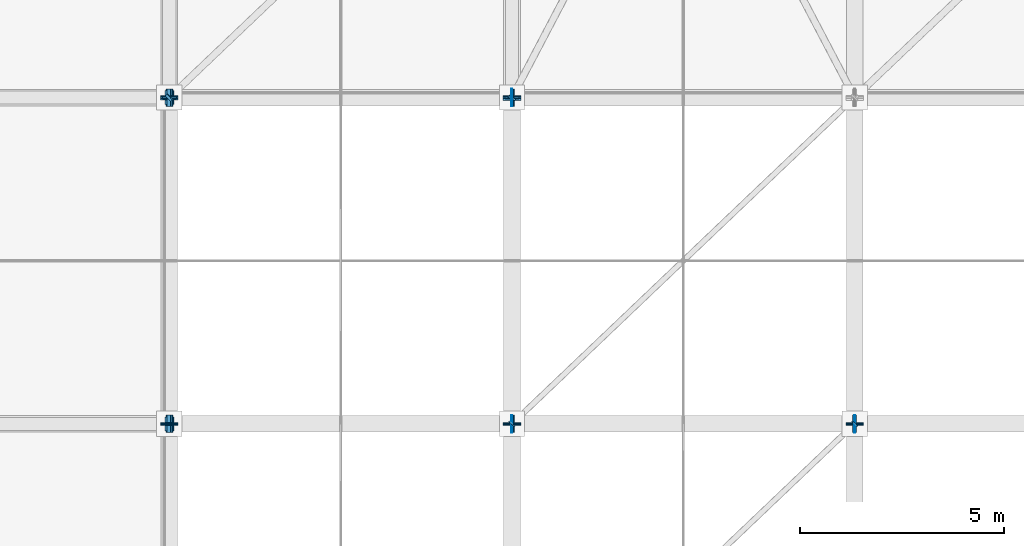
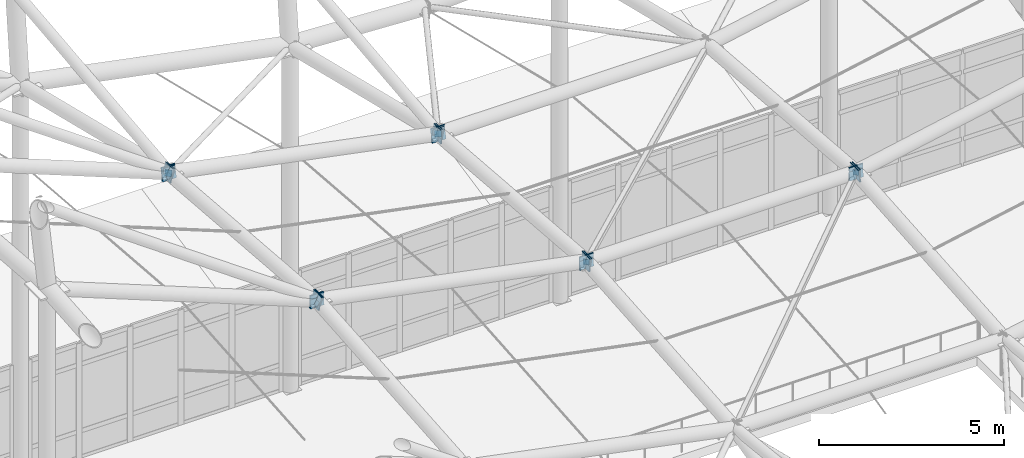
# One storey, part 109 of 138: 28 discrete accessories.
"""IFC4 building model written with IfcOpenShell, lengths in metres."""

from ifc_helpers import new_model, si_unit, direction, frame, origin, origin_2d, place, context, subcontext, project, spatial, rectangle, extrude, material, layer, layer_set, type_object, element, save


model = new_model("IFC4")

# Units and contexts
model_context = context("Model", 3, precision=1e-05, world=origin(), true_north=direction((0.0, 1.0)))
body_context = subcontext(model_context, "Body", "Model", "MODEL_VIEW")
ifc_project = project(units=[si_unit("LENGTHUNIT", "METRE"), si_unit("AREAUNIT", "SQUARE_METRE"), si_unit("VOLUMEUNIT", "CUBIC_METRE"), si_unit("PLANEANGLEUNIT", "RADIAN"), si_unit("MASSUNIT", "GRAM", prefix="KILO")], contexts=[model_context])

# Site, building, storey
site_placement = place(None, origin())
site = spatial("IfcSite", under=ifc_project, at=site_placement, CompositionType="ELEMENT")
building_placement = place(site_placement, origin())
building = spatial("IfcBuilding", under=site, at=building_placement, Name="Kranzveld Transit Interchange", CompositionType="ELEMENT")
storey_placement = place(building_placement, frame((0.0, 0.0, 5.43994140625)))
storey = spatial("IfcBuildingStorey", under=building, at=storey_placement, Name="L01", CompositionType="ELEMENT", Elevation=5.43994140625)

# Discrete accessories
ifc_material = material(Name="Steel S355JR", Category="steel")
ifc_layer = layer(ifc_material, 0.02001953125)
ifc_layer_set = layer_set([ifc_layer], Name="Steel S355JR")
discrete_accessory_type = type_object("IfcDiscreteAccessoryType", Name="Hollow Section End Cap Bracket 20 S355JR", PredefinedType="BRACKET", material=ifc_layer_set)
for number, where, z_axis, x_axis, name in (
    (1, (67.19677734375, 72.0, 15.58447265625), (0.812912862639, 0.0, -0.582385334428), (0.0, 1.0, 0.0), "Hollow Section End Cap ST-CHS324-1"),
    (2, (67.19677734375, 80.0, 14.934326171875), (0.81865747399, 0.0, -0.57428210862), (0.0, 1.0, 0.0), "Hollow Section End Cap ST-CHS324-1"),
):
    element("IfcDiscreteAccessory", number, at=place(storey_placement, frame(where, z_axis=z_axis, x_axis=x_axis)), inside=storey, type_object=discrete_accessory_type, Name=name, PredefinedType="BRACKET", context=body_context, shape_type="SweptSolid", body=[
        extrude(rectangle(XDim=0.347900390625, YDim=0.347900390625, at=origin_2d()), origin(), (0.0, 0.0, 1.0), 0.02001953125),
    ])
for number, where, z_axis, x_axis, name in (
    (3, (67.199951171875, 80.00390625, 14.932373046875), (0.0, -0.995158089271, -0.098287218693), (1.0, 0.0, 0.0), "Hollow Section End Cap ST-CHS324-1"),
    (4, (75.60009765625, 80.00390625, 13.2685546875), (0.0, -0.993883734674, -0.110431526075), (1.0, 0.0, 0.0), "Hollow Section End Cap ST-CHS324-1"),
):
    element("IfcDiscreteAccessory", number, at=place(storey_placement, frame(where, z_axis=z_axis, x_axis=x_axis)), inside=storey, type_object=discrete_accessory_type, Name=name, PredefinedType="BRACKET", context=body_context, shape_type="SweptSolid", body=[
        extrude(rectangle(XDim=0.347900390625, YDim=0.347900390625, at=origin_2d()), origin(), (0.0, 0.0, 1.0), 0.019775390625),
    ])
for number, where, z_axis, x_axis, name in (
    (5, (67.199951171875, 71.99609375, 15.5517578125), (0.0, 0.996286600035, 0.086098841978), (-1.0, 0.0, 0.0), "Hollow Section End Cap B-RIB406-2"),
    (6, (67.199951171875, 72.00390625, 15.5517578125), (0.0, -0.996286600035, 0.086098841978), (1.0, 0.0, 0.0), "Hollow Section End Cap B-RIB406-1"),
    (7, (67.199951171875, 79.99609375, 14.90234375), (0.0, 0.997267754457, -0.073871685515), (-1.0, 0.0, 0.0), "Hollow Section End Cap B-RIB406-2"),
):
    element("IfcDiscreteAccessory", number, at=place(storey_placement, frame(where, z_axis=z_axis, x_axis=x_axis)), inside=storey, type_object=discrete_accessory_type, Name=name, PredefinedType="BRACKET", context=body_context, shape_type="SweptSolid", body=[
        extrude(rectangle(XDim=0.430419921875, YDim=0.430419921875, at=origin_2d()), origin(), (0.0, 0.0, 1.0), 0.019775390625),
    ])
discrete_accessory_1_placement = place(storey_placement, frame((67.199951171875, 80.00390625, 14.901123046875), z_axis=(0.0, -0.97293655072, 0.231072430796), x_axis=(1.0, 0.0, 0.0)))
element("IfcDiscreteAccessory", 8, at=discrete_accessory_1_placement, inside=storey, type_object=discrete_accessory_type, Name="Hollow Section End Cap B-RIB406-1", PredefinedType="BRACKET", context=body_context, shape_type="SweptSolid", body=[
    extrude(rectangle(XDim=0.430419921875, YDim=0.430419921875, at=origin_2d()), origin(), (0.0, 0.0, 1.0), 0.02001953125),
])
for number, where, z_axis, x_axis, name in (
    (9, (75.60009765625, 71.99609375, 13.8876953125), (0.0, 0.996286600035, 0.086098841978), (-1.0, 0.0, 0.0), "Hollow Section End Cap B-RIB406-2"),
    (10, (75.60009765625, 72.00390625, 13.8876953125), (0.0, -0.996286600035, 0.086098841978), (1.0, 0.0, 0.0), "Hollow Section End Cap B-RIB406-1"),
    (11, (75.60009765625, 79.99609375, 13.23828125), (0.0, 0.997267754457, -0.073871685515), (-1.0, 0.0, 0.0), "Hollow Section End Cap B-RIB406-2"),
):
    element("IfcDiscreteAccessory", number, at=place(storey_placement, frame(where, z_axis=z_axis, x_axis=x_axis)), inside=storey, type_object=discrete_accessory_type, Name=name, PredefinedType="BRACKET", context=body_context, shape_type="SweptSolid", body=[
        extrude(rectangle(XDim=0.430419921875, YDim=0.430419921875, at=origin_2d()), origin(), (0.0, 0.0, 1.0), 0.019775390625),
    ])
discrete_accessory_2_placement = place(storey_placement, frame((75.60009765625, 80.00390625, 13.237060546875), z_axis=(0.0, -0.970142500145, 0.242535625036), x_axis=(1.0, 0.0, 0.0)))
element("IfcDiscreteAccessory", 12, at=discrete_accessory_2_placement, inside=storey, type_object=discrete_accessory_type, Name="Hollow Section End Cap B-RIB406-1", PredefinedType="BRACKET", context=body_context, shape_type="SweptSolid", body=[
    extrude(rectangle(XDim=0.430419921875, YDim=0.430419921875, at=origin_2d()), origin(), (0.0, 0.0, 1.0), 0.02001953125),
])
for number, where, z_axis, x_axis, name in (
    (13, (84.0, 71.99609375, 13.8876953125), (0.0, 0.996286600035, 0.086098841978), (-1.0, 0.0, 0.0), "Hollow Section End Cap B-RIB406-2"),
    (14, (84.0, 72.00390625, 13.8876953125), (0.0, -0.996286600035, 0.086098841978), (1.0, 0.0, 0.0), "Hollow Section End Cap B-RIB406-1"),
):
    element("IfcDiscreteAccessory", number, at=place(storey_placement, frame(where, z_axis=z_axis, x_axis=x_axis)), inside=storey, type_object=discrete_accessory_type, Name=name, PredefinedType="BRACKET", context=body_context, shape_type="SweptSolid", body=[
        extrude(rectangle(XDim=0.430419921875, YDim=0.430419921875, at=origin_2d()), origin(), (0.0, 0.0, 1.0), 0.019775390625),
    ])
for number, where, z_axis, x_axis, name in (
    (15, (67.1962890625, 72.0, 15.553466796875), (0.930155221331, 0.0, -0.367166534736), (0.0, 1.0, 0.0), "Hollow Section End Cap B-RIB406-2"),
    (16, (67.203857421875, 72.0, 15.55126953125), (-0.980580675691, 0.0, 0.196116135138), (0.0, -1.0, 0.0), "Hollow Section End Cap B-RIB406-1"),
    (17, (75.59619140625, 72.0, 13.888916015625), (0.980580675691, 0.0, -0.196116135138), (0.0, 1.0, 0.0), "Hollow Section End Cap B-RIB406-2"),
    (18, (75.60400390625, 72.0, 13.887939453125), (-1.0, 0.0, 0.0), (0.0, -1.0, 0.0), "Hollow Section End Cap B-RIB406-1"),
    (19, (83.99609375, 72.0, 13.887939453125), (1.0, 0.0, 0.0), (0.0, 1.0, 0.0), "Hollow Section End Cap B-RIB406-2"),
    (20, (84.00390625, 72.0, 13.888916015625), (-0.980580675691, 0.0, -0.196116135138), (0.0, -1.0, 0.0), "Hollow Section End Cap B-RIB406-1"),
    (21, (67.1962890625, 80.0, 14.903564453125), (0.930155221331, 0.0, -0.367166534736), (0.0, 1.0, 0.0), "Hollow Section End Cap B-RIB406-2"),
    (22, (67.203857421875, 80.0, 14.9013671875), (-0.980580675691, 0.0, 0.196116135138), (0.0, -1.0, 0.0), "Hollow Section End Cap B-RIB406-1"),
    (23, (75.59619140625, 80.0, 13.23876953125), (0.980580675691, 0.0, -0.196116135138), (0.0, 1.0, 0.0), "Hollow Section End Cap B-RIB406-2"),
    (24, (75.60400390625, 80.0, 13.238037109375), (-1.0, 0.0, 0.0), (0.0, -1.0, 0.0), "Hollow Section End Cap B-RIB406-1"),
):
    element("IfcDiscreteAccessory", number, at=place(storey_placement, frame(where, z_axis=z_axis, x_axis=x_axis)), inside=storey, type_object=discrete_accessory_type, Name=name, PredefinedType="BRACKET", context=body_context, shape_type="SweptSolid", body=[
        extrude(rectangle(XDim=0.430419921875, YDim=0.430419921875, at=origin_2d()), origin(), (0.0, 0.0, 1.0), 0.02001953125),
    ])
discrete_accessory_3_placement = place(storey_placement, frame((67.202880859375, 80.002685546875, 14.880859375), z_axis=(-0.69424489048, -0.657705685718, 0.292313638097), x_axis=(0.687744647911, -0.725952683906, 0.0)))
element("IfcDiscreteAccessory", 25, at=discrete_accessory_3_placement, inside=storey, type_object=discrete_accessory_type, Name="Hollow Section End Cap BR-CHS168-1", PredefinedType="BRACKET", context=body_context, shape_type="SweptSolid", body=[
    extrude(rectangle(XDim=0.1923828125, YDim=0.1923828125, at=origin_2d()), origin(), (0.0, 0.0, 1.0), 0.02001953125),
])
for number, where, z_axis, x_axis, name in (
    (26, (83.9970703125, 71.997314453125, 13.867919921875), (0.724430977539, 0.687595504105, 0.049113964579), (-0.688426310031, 0.725306290926, 0.0), "Hollow Section End Cap BR-SHS150-2"),
    (27, (75.602783203125, 72.002685546875, 13.867919921875), (-0.724430977539, -0.687595504105, 0.049113964579), (0.688426310031, -0.725306290926, 0.0), "Hollow Section End Cap BR-SHS150-1"),
):
    element("IfcDiscreteAccessory", number, at=place(storey_placement, frame(where, z_axis=z_axis, x_axis=x_axis)), inside=storey, type_object=discrete_accessory_type, Name=name, PredefinedType="BRACKET", context=body_context, shape_type="SweptSolid", body=[
        extrude(rectangle(XDim=0.174072265625, YDim=0.174072265625, at=origin_2d()), origin(), (0.0, 0.0, 1.0), 0.019775390625),
    ])
discrete_accessory_4_placement = place(storey_placement, frame((75.601806640625, 80.00341796875, 13.237060546875), z_axis=(-0.45440694448, -0.859688813881, 0.233344106625), x_axis=(0.884094940295, -0.467307325584, 0.0)))
element("IfcDiscreteAccessory", 28, at=discrete_accessory_4_placement, inside=storey, type_object=discrete_accessory_type, Name="Hollow Section End Cap BR-CHS168-1", PredefinedType="BRACKET", context=body_context, shape_type="SweptSolid", body=[
    extrude(rectangle(XDim=0.1923828125, YDim=0.1923828125, at=origin_2d()), origin(), (0.0, 0.0, 1.0), 0.019775390625),
])

save(model, "model.ifc")
